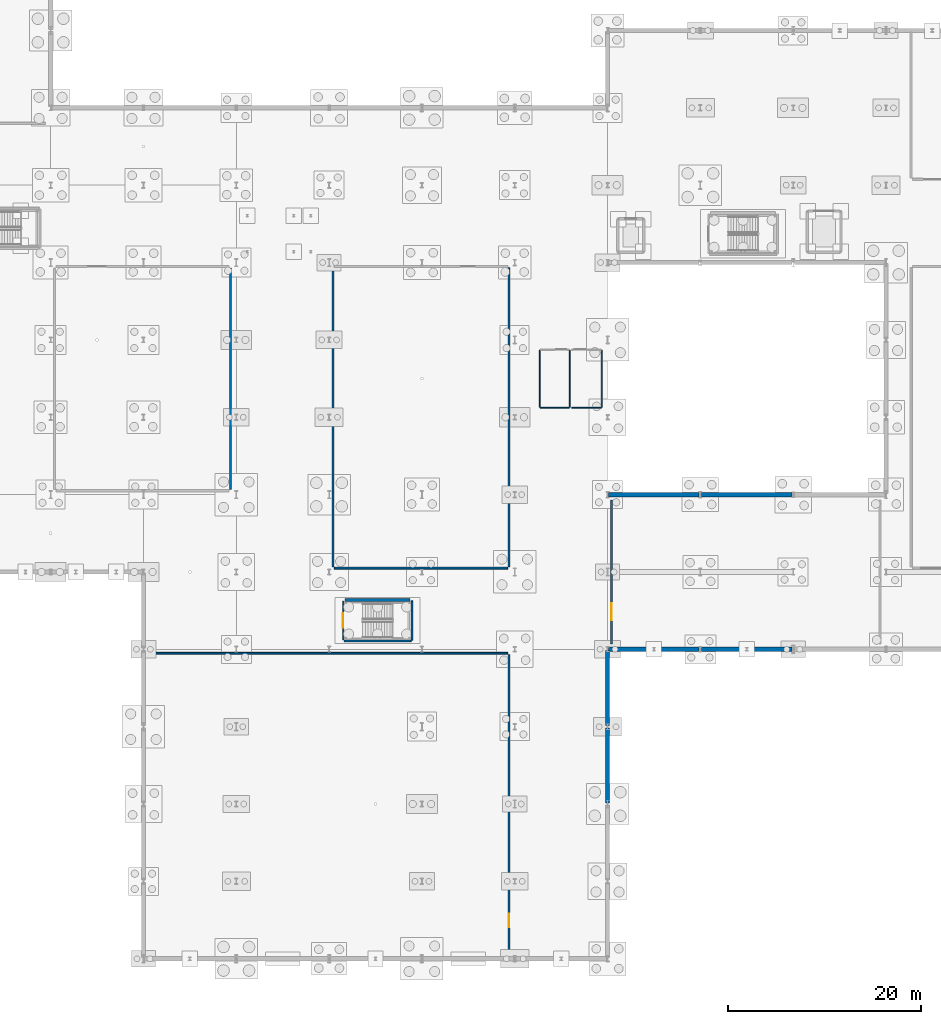
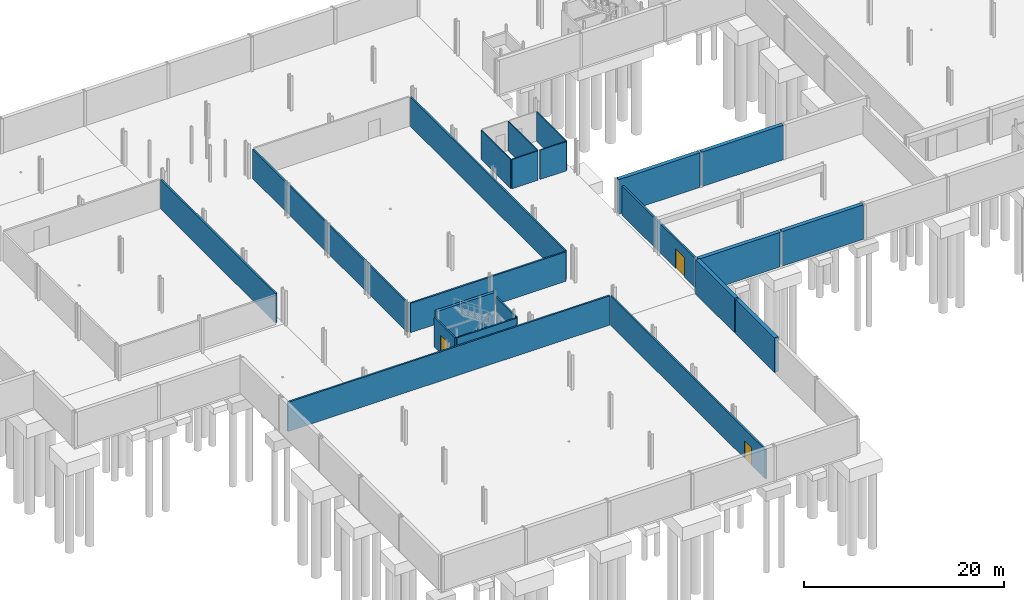
# One storey, part 37 of 47: 22 walls, 3 doors, 3 openings.
"""IFC4 building model written with IfcOpenShell, lengths in metres."""

from ifc_helpers import new_model, si_unit, direction, frame, frame_2d, origin, place, context, subcontext, project, spatial, rectangle, extrude, material, layer, layer_set, type_object, element, fill, save


model = new_model("IFC4")

# Units and contexts
model_context = context("Model", 3, precision=1e-05, world=origin(), true_north=direction((0.0, 1.0)))
body_context = subcontext(model_context, "Body", "Model", "MODEL_VIEW")
ifc_project = project(units=[si_unit("LENGTHUNIT", "METRE"), si_unit("AREAUNIT", "SQUARE_METRE"), si_unit("VOLUMEUNIT", "CUBIC_METRE"), si_unit("PLANEANGLEUNIT", "RADIAN"), si_unit("MASSUNIT", "GRAM", prefix="KILO")], contexts=[model_context])

# Site, building, storey
site_placement = place(None, origin())
site = spatial("IfcSite", under=ifc_project, at=site_placement, CompositionType="ELEMENT")
building_placement = place(site_placement, origin())
building = spatial("IfcBuilding", under=site, at=building_placement, Name="Alderhovde Museum", CompositionType="ELEMENT")
storey_placement = place(building_placement, frame((0.0, 0.0, -4.5)))
storey = spatial("IfcBuildingStorey", under=building, at=storey_placement, Name="B1", CompositionType="ELEMENT", Elevation=-4.5)

# Walls
ifc_material_1 = material(Name="Fire-Resisting Twin-Stud Compartment Wall")
ifc_layer_1 = layer(ifc_material_1, 0.18994140625)
ifc_layer_set_1 = layer_set([ifc_layer_1], Name="Fire-Resisting Twin-Stud Compartment Wall")
wall_type_1 = type_object("IfcWallType", Name="IW-FIRE-190", PredefinedType="SOLIDWALL", material=ifc_layer_set_1)
wall_1_placement = place(storey_placement, frame((86.93994140625, 40.39990234375, 0.0), z_axis=(0.0, 0.0, 1.0), x_axis=(1.0, 0.0, 0.0)))
element("IfcWall", 1, at=wall_1_placement, inside=storey, type_object=wall_type_1, Name="B1 Conservation HVAC Plant Hall Partition Wall S", PredefinedType="SOLIDWALL", context=body_context, shape_type="SweptSolid", body=[
    extrude(rectangle(XDim=17.920166015625, YDim=0.18994140625, at=frame_2d((8.9599609375, 0.0))), origin(), (0.0, 0.0, 1.0), 3.580078125),
])
for number, where, z_axis, x_axis, name in (
    (2, (86.800048828125, 40.5400390625, 0.0), (0.0, 0.0, 1.0), (0.0, 1.0, 0.0), "B1 Conservation HVAC Plant Hall Partition Wall W"),
    (3, (105.0, 40.5400390625, 0.0), (0.0, 0.0, 1.0), (0.0, 1.0, 0.0), "B1 Conservation HVAC Plant Hall Partition Wall E"),
):
    element("IfcWall", number, at=place(storey_placement, frame(where, z_axis=z_axis, x_axis=x_axis)), inside=storey, type_object=wall_type_1, Name=name, PredefinedType="SOLIDWALL", context=body_context, shape_type="SweptSolid", body=[
        extrude(rectangle(XDim=30.919921875, YDim=0.18994140625, at=frame_2d((15.4599609375, 0.0))), origin(), (0.0, 0.0, 1.0), 3.580078125),
    ])
wall_2_placement = place(storey_placement, frame((67.739990234375, 31.60009765625, 0.0), z_axis=(0.0, 0.0, 1.0), x_axis=(1.0, 0.0, 0.0)))
element("IfcWall", 4, at=wall_2_placement, inside=storey, type_object=wall_type_1, Name="B1 District Heating and Electrical Substation Partition Wall N", PredefinedType="SOLIDWALL", context=body_context, shape_type="SweptSolid", body=[
    extrude(rectangle(XDim=37.1201171875, YDim=0.18994140625, at=frame_2d((18.56005859375, 0.0))), origin(), (0.0, 0.0, 1.0), 3.580078125),
])

# Wall, opening, door
wall_3_placement = place(storey_placement, frame((105.0, 0.5400390625, 0.0), z_axis=(0.0, 0.0, 1.0), x_axis=(0.0, 1.0, 0.0)))
wall_3 = element("IfcWall", 5, at=wall_3_placement, inside=storey, type_object=wall_type_1, Name="B1 District Heating and Electrical Substation Partition Wall E", PredefinedType="SOLIDWALL", context=body_context, shape_type="SweptSolid", body=[
    extrude(rectangle(XDim=30.919921875, YDim=0.18994140625, at=frame_2d((15.4599609375, 0.0))), origin(), (0.0, 0.0, 1.0), 3.580078125),
])
opening_1_placement = place(wall_3_placement, frame((2.72705078125, 0.0, 0.0)))
opening_1 = element("IfcOpeningElement", 6, at=opening_1_placement, cuts=wall_3, Name="Opening FD-6", PredefinedType="OPENING", context=body_context, shape_type="SweptSolid", body=[
    extrude(rectangle(XDim=1.39990234375, YDim=2.14990234375, at=frame_2d((0.699951171875, 1.074951171875))), frame((0.0, 0.10498046875, 0.0), z_axis=(0.0, -1.0, 0.0), x_axis=(1.0, 0.0, 0.0)), (0.0, 0.0, 1.0), 0.2099609375),
])
ifc_material_2 = material(Name="Fire-Rated Plant Room Door (Steel/Oak)", Category="steel")
door_type_1 = type_object("IfcDoorType", Name="FD-PLANT-1400x2150", OperationType="NOTDEFINED", PredefinedType="DOOR", material=ifc_material_2)
door_1_placement = place(opening_1_placement, origin())
door_1 = element("IfcDoor", 7, at=door_1_placement, inside=storey, type_object=door_type_1, Name="B1 District Heating and Electrical Substation Door", OperationType="SINGLE_SWING_LEFT", OverallHeight=2.14990234375, OverallWidth=1.39990234375, PredefinedType="DOOR", context=body_context, shape_type="SweptSolid", body=[
    extrude(rectangle(XDim=1.39990234375, YDim=2.14990234375, at=frame_2d((0.699951171875, 1.074951171875))), frame((0.0, 0.02490234375, 0.0), z_axis=(0.0, -1.0, 0.0), x_axis=(1.0, 0.0, 0.0)), (0.0, 0.0, 1.0), 0.050048828125),
])
fill(opening_1, door_1)

# Wall
ifc_material_3 = material(Name="Fire-Resisting Masonry Compartment Wall", Category="masonry")
ifc_layer_2 = layer(ifc_material_3, 0.2099609375)
ifc_layer_set_2 = layer_set([ifc_layer_2], Name="Fire-Resisting Masonry Compartment Wall")
wall_type_2 = type_object("IfcWallType", Name="IW-FIRE-210", PredefinedType="SOLIDWALL", material=ifc_layer_set_2)
wall_4_placement = place(storey_placement, frame((76.199951171875, 48.5400390625, 0.0), z_axis=(0.0, 0.0, 1.0), x_axis=(0.0, 1.0, 0.0)))
element("IfcWall", 8, at=wall_4_placement, inside=storey, type_object=wall_type_2, Name="B1 Mineralogy Specimen Vault Partition Wall E", PredefinedType="SOLIDWALL", context=body_context, shape_type="SweptSolid", body=[
    extrude(rectangle(XDim=22.919921875, YDim=0.2099609375, at=frame_2d((11.4599609375, 0.0))), origin(), (0.0, 0.0, 1.0), 3.580078125),
])

# Wall, opening, door
wall_5_placement = place(storey_placement, frame((115.60009765625, 32.5400390625, 0.0), z_axis=(0.0, 0.0, 1.0), x_axis=(0.0, 1.0, 0.0)))
wall_5 = element("IfcWall", 9, at=wall_5_placement, inside=storey, type_object=wall_type_2, Name="B1 Cold Specimen Archive Partition Wall W", PredefinedType="SOLIDWALL", context=body_context, shape_type="SweptSolid", body=[
    extrude(rectangle(XDim=14.919921875, YDim=0.2099609375, at=frame_2d((7.4599609375, 0.0))), origin(), (0.0, 0.0, 1.0), 3.580078125),
])
opening_2_placement = place(wall_5_placement, frame((2.450927734375, 0.0, 0.0)))
opening_2 = element("IfcOpeningElement", 10, at=opening_2_placement, cuts=wall_5, Name="Opening FD-2", PredefinedType="OPENING", context=body_context, shape_type="SweptSolid", body=[
    extrude(rectangle(XDim=1.800048828125, YDim=2.39990234375, at=frame_2d((0.89990234375, 1.199951171875))), frame((0.0, 0.114990234375, 0.0), z_axis=(0.0, -1.0, 0.0), x_axis=(1.0, 0.0, 0.0)), (0.0, 0.0, 1.0), 0.22998046875),
])
ifc_material_4 = material(Name="Fire-Rated Double Archive Vault Door (Steel/Oak)", Category="steel")
door_type_2 = type_object("IfcDoorType", Name="FD-ARCH-1800x2400", OperationType="NOTDEFINED", PredefinedType="DOOR", material=ifc_material_4)
door_2_placement = place(opening_2_placement, origin())
door_2 = element("IfcDoor", 11, at=door_2_placement, inside=storey, type_object=door_type_2, Name="B1 Cold Specimen Archive Door", OperationType="DOUBLE_DOOR_SINGLE_SWING", OverallHeight=2.39990234375, OverallWidth=1.800048828125, PredefinedType="DOOR", context=body_context, shape_type="SweptSolid", body=[
    extrude(rectangle(XDim=1.800048828125, YDim=2.39990234375, at=frame_2d((0.89990234375, 1.199951171875))), frame((0.0, 0.02490234375, 0.0), z_axis=(0.0, -1.0, 0.0), x_axis=(1.0, 0.0, 0.0)), (0.0, 0.0, 1.0), 0.050048828125),
])
fill(opening_2, door_2)

ifc_material_5 = material(Name="Fire-Resisting Stair Lobby Wall")
ifc_layer_3 = layer(ifc_material_5, 0.169921875)
ifc_layer_set_3 = layer_set([ifc_layer_3], Name="Fire-Resisting Stair Lobby Wall")
wall_type_3 = type_object("IfcWallType", Name="IW-STAIR-170", PredefinedType="SOLIDWALL", material=ifc_layer_set_3)
wall_6_placement = place(storey_placement, frame((87.860107421875, 32.9599609375, 0.0), z_axis=(0.0, 0.0, 1.0), x_axis=(0.0, 1.0, 0.0)))
wall_6 = element("IfcWall", 12, at=wall_6_placement, inside=storey, type_object=wall_type_3, Name="B1 Escape Stair ST3 Fire Wall W", PredefinedType="SOLIDWALL", context=body_context, shape_type="SweptSolid", body=[
    extrude(rectangle(XDim=4.0400390625, YDim=0.169921875, at=frame_2d((2.02001953125, 0.0))), origin(), (0.0, 0.0, 1.0), 3.580078125),
])
opening_3_placement = place(wall_6_placement, frame((1.27001953125, 0.0, 0.0)))
opening_3 = element("IfcOpeningElement", 13, at=opening_3_placement, cuts=wall_6, Name="Opening FD-1", PredefinedType="OPENING", context=body_context, shape_type="SweptSolid", body=[
    extrude(rectangle(XDim=1.5, YDim=2.199951171875, at=frame_2d((0.75, 1.10009765625))), frame((0.0, 0.094970703125, 0.0), z_axis=(0.0, -1.0, 0.0), x_axis=(1.0, 0.0, 0.0)), (0.0, 0.0, 1.0), 0.18994140625),
])
ifc_material_6 = material(Name="Fire-Rated Steel Stair Escape Door (Steel/Oak)", Category="steel")
door_type_3 = type_object("IfcDoorType", Name="FD-STAIR-1500x2200", OperationType="NOTDEFINED", PredefinedType="DOOR", material=ifc_material_6)
door_3_placement = place(opening_3_placement, origin())
door_3 = element("IfcDoor", 14, at=door_3_placement, inside=storey, type_object=door_type_3, Name="B1 Escape Stair ST3 Fire Door", OperationType="SINGLE_SWING_LEFT", OverallHeight=2.199951171875, OverallWidth=1.5, PredefinedType="DOOR", context=body_context, shape_type="SweptSolid", body=[
    extrude(rectangle(XDim=1.5, YDim=2.199951171875, at=frame_2d((0.75, 1.10009765625))), frame((0.0, 0.02490234375, 0.0), z_axis=(0.0, -1.0, 0.0), x_axis=(1.0, 0.0, 0.0)), (0.0, 0.0, 1.0), 0.050048828125),
])
fill(opening_3, door_3)

# Walls
wall_7_placement = place(storey_placement, frame((94.97998046875, 32.9599609375, 0.0), z_axis=(0.0, 0.0, 1.0), x_axis=(0.0, 1.0, 0.0)))
element("IfcWall", 15, at=wall_7_placement, inside=storey, type_object=wall_type_3, Name="B1 Escape Stair ST3 Fire Wall E", PredefinedType="SOLIDWALL", context=body_context, shape_type="SweptSolid", body=[
    extrude(rectangle(XDim=4.0400390625, YDim=0.169921875, at=frame_2d((2.02001953125, 0.0))), origin(), (0.0, 0.0, 1.0), 3.580078125),
])
wall_8_placement = place(storey_placement, frame((87.9599609375, 32.860107421875, 0.0), z_axis=(0.0, 0.0, 1.0), x_axis=(1.0, 0.0, 0.0)))
element("IfcWall", 16, at=wall_8_placement, inside=storey, type_object=wall_type_3, Name="B1 Escape Stair ST3 Fire Wall S", PredefinedType="SOLIDWALL", context=body_context, shape_type="SweptSolid", body=[
    extrude(rectangle(XDim=6.919921875, YDim=0.169921875, at=frame_2d((3.4599609375, 0.0))), origin(), (0.0, 0.0, 1.0), 3.580078125),
])
ifc_material_7 = material(Name="Moisture-Resistant Sanitary Partition")
ifc_layer_4 = layer(ifc_material_7, 0.114990234375)
ifc_layer_set_4 = layer_set([ifc_layer_4], Name="Moisture-Resistant Sanitary Partition")
wall_type_4 = type_object("IfcWallType", Name="IW-WC-115", PredefinedType="PARTITIONING", material=ifc_layer_set_4)
wall_9_placement = place(storey_placement, frame((108.260009765625, 57.0, 0.0), z_axis=(0.0, 0.0, 1.0), x_axis=(1.0, 0.0, 0.0)))
element("IfcWall", 17, at=wall_9_placement, inside=storey, type_object=wall_type_4, Name="B1 Staff WC Partition Wall S", PredefinedType="PARTITIONING", context=body_context, shape_type="SweptSolid", body=[
    extrude(rectangle(XDim=2.97998046875, YDim=0.114990234375, at=frame_2d((1.489990234375, 0.0))), origin(), (0.0, 0.0, 1.0), 3.580078125),
])
for number, where, z_axis, x_axis, name in (
    (18, (108.199951171875, 57.06005859375, 0.0), (0.0, 0.0, 1.0), (0.0, 1.0, 0.0), "B1 Staff WC Partition Wall W"),
    (19, (111.300048828125, 57.06005859375, 0.0), (0.0, 0.0, 1.0), (0.0, 1.0, 0.0), "B1 Staff WC Partition Wall E"),
):
    element("IfcWall", number, at=place(storey_placement, frame(where, z_axis=z_axis, x_axis=x_axis)), inside=storey, type_object=wall_type_4, Name=name, PredefinedType="PARTITIONING", context=body_context, shape_type="SweptSolid", body=[
        extrude(rectangle(XDim=5.8798828125, YDim=0.114990234375, at=frame_2d((2.93994140625, 0.0))), origin(), (0.0, 0.0, 1.0), 3.580078125),
    ])
wall_10_placement = place(storey_placement, frame((111.510009765625, 57.0, 0.0), z_axis=(0.0, 0.0, 1.0), x_axis=(1.0, 0.0, 0.0)))
element("IfcWall", 20, at=wall_10_placement, inside=storey, type_object=wall_type_4, Name="B1 Accessible WC Partition Wall S", PredefinedType="PARTITIONING", context=body_context, shape_type="SweptSolid", body=[
    extrude(rectangle(XDim=3.030029296875, YDim=0.114990234375, at=frame_2d((1.51513671875, 0.0))), origin(), (0.0, 0.0, 1.0), 3.580078125),
])
wall_11_placement = place(storey_placement, frame((114.60009765625, 57.06005859375, 0.0), z_axis=(0.0, 0.0, 1.0), x_axis=(0.0, 1.0, 0.0)))
element("IfcWall", 21, at=wall_11_placement, inside=storey, type_object=wall_type_4, Name="B1 Accessible WC Partition Wall E", PredefinedType="PARTITIONING", context=body_context, shape_type="SweptSolid", body=[
    extrude(rectangle(XDim=5.8798828125, YDim=0.114990234375, at=frame_2d((2.93994140625, 0.0))), origin(), (0.0, 0.0, 1.0), 3.580078125),
])
ifc_material_8 = material(Name="Concrete C40/50", Category="concrete")
ifc_layer_5 = layer(ifc_material_8, 0.320068359375)
ifc_layer_set_5 = layer_set([ifc_layer_5], Name="Concrete C40/50")
wall_type_5 = type_object("IfcWallType", Name="SW-CORE-320", PredefinedType="SHEAR", material=ifc_layer_set_5)
wall_12_placement = place(storey_placement, frame((88.050048828125, 37.1201171875, 0.0), z_axis=(0.0, 0.0, 1.0), x_axis=(1.0, 0.0, 0.0)))
element("IfcWall", 22, at=wall_12_placement, inside=storey, type_object=wall_type_5, Name="B1 Core Concrete Shear Wall ST3", PredefinedType="SHEAR", context=body_context, shape_type="SweptSolid", body=[
    extrude(rectangle(XDim=6.739990234375, YDim=0.320068359375, at=frame_2d((3.3701171875, 0.0))), origin(), (0.0, 0.0, 1.0), 4.219970703125),
])
ifc_material_9 = material(Name="Concrete C40/50", Category="concrete")
ifc_layer_6 = layer(ifc_material_9, 0.449951171875)
ifc_layer_set_6 = layer_set([ifc_layer_6], Name="Concrete C40/50")
wall_type_6 = type_object("IfcWallType", Name="SW-RET-450", PredefinedType="SHEAR", material=ifc_layer_set_6)
wall_13_placement = place(storey_placement, frame((115.320068359375, 32.0, 0.0), z_axis=(0.0, 0.0, 1.0), x_axis=(1.0, 0.0, 0.0)))
element("IfcWall", 23, at=wall_13_placement, inside=storey, type_object=wall_type_6, Name="B1 Concrete Perimeter Retaining Wall 38", PredefinedType="SHEAR", context=body_context, shape_type="SweptSolid", body=[
    extrude(rectangle(XDim=9.35986328125, YDim=0.449951171875, at=frame_2d((4.679931640625, 0.0))), origin(), (0.0, 0.0, 1.0), 4.219970703125),
])
wall_14_placement = place(storey_placement, frame((124.919921875, 32.0, 0.0), z_axis=(0.0, 0.0, 1.0), x_axis=(1.0, 0.0, 0.0)))
element("IfcWall", 24, at=wall_14_placement, inside=storey, type_object=wall_type_6, Name="B1 Concrete Perimeter Retaining Wall 39", PredefinedType="SHEAR", context=body_context, shape_type="SweptSolid", body=[
    extrude(rectangle(XDim=9.360107421875, YDim=0.449951171875, at=frame_2d((4.68017578125, 0.0))), origin(), (0.0, 0.0, 1.0), 4.219970703125),
])
for number, where, z_axis, x_axis, name in (
    (25, (115.199951171875, 16.1201171875, 0.0), (0.0, 0.0, 1.0), (0.0, 1.0, 0.0), "B1 Concrete Perimeter Retaining Wall 46"),
    (26, (115.199951171875, 24.1201171875, 0.0), (0.0, 0.0, 1.0), (0.0, 1.0, 0.0), "B1 Concrete Perimeter Retaining Wall 47"),
):
    element("IfcWall", number, at=place(storey_placement, frame(where, z_axis=z_axis, x_axis=x_axis)), inside=storey, type_object=wall_type_6, Name=name, PredefinedType="SHEAR", context=body_context, shape_type="SweptSolid", body=[
        extrude(rectangle(XDim=7.759765625, YDim=0.449951171875, at=frame_2d((3.8798828125, 0.0))), origin(), (0.0, 0.0, 1.0), 4.219970703125),
    ])
wall_15_placement = place(storey_placement, frame((115.320068359375, 48.0, 0.0), z_axis=(0.0, 0.0, 1.0), x_axis=(1.0, 0.0, 0.0)))
element("IfcWall", 27, at=wall_15_placement, inside=storey, type_object=wall_type_6, Name="B1 Concrete Perimeter Retaining Wall 65", PredefinedType="SHEAR", context=body_context, shape_type="SweptSolid", body=[
    extrude(rectangle(XDim=9.35986328125, YDim=0.449951171875, at=frame_2d((4.679931640625, 0.0))), origin(), (0.0, 0.0, 1.0), 4.219970703125),
])
wall_16_placement = place(storey_placement, frame((124.919921875, 48.0, 0.0), z_axis=(0.0, 0.0, 1.0), x_axis=(1.0, 0.0, 0.0)))
element("IfcWall", 28, at=wall_16_placement, inside=storey, type_object=wall_type_6, Name="B1 Concrete Perimeter Retaining Wall 66", PredefinedType="SHEAR", context=body_context, shape_type="SweptSolid", body=[
    extrude(rectangle(XDim=9.360107421875, YDim=0.449951171875, at=frame_2d((4.68017578125, 0.0))), origin(), (0.0, 0.0, 1.0), 4.219970703125),
])

save(model, "model.ifc")
